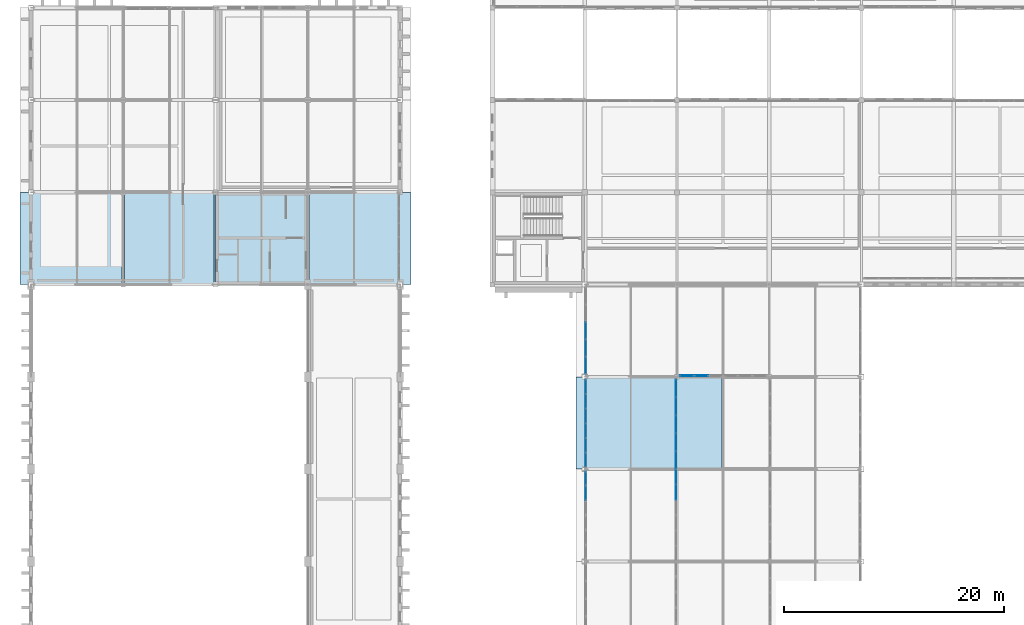
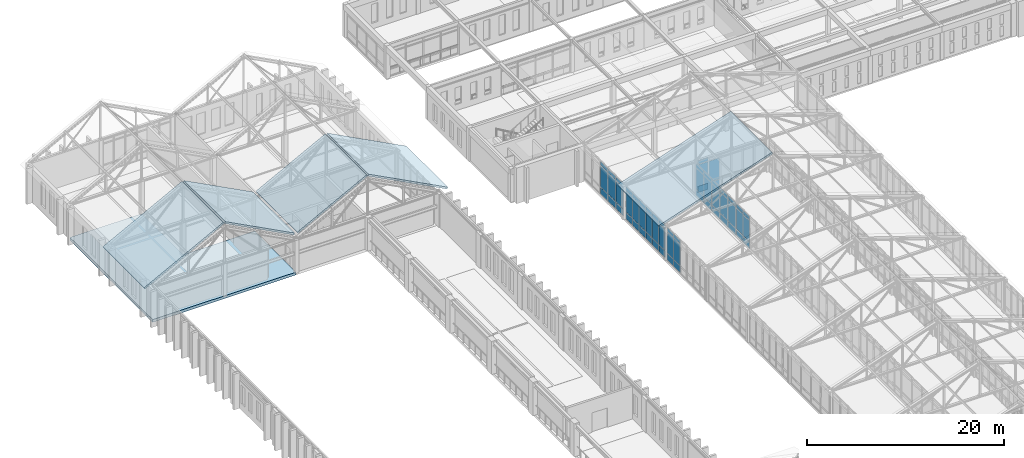
# One storey, part 121 of 192: 59 plates, 6 slabs, 6 elements without a shape of their own.
"""IFC4 building model written with IfcOpenShell, lengths in metres."""

from ifc_helpers import new_model, si_unit, direction, frame, origin, origin_2d, place, context, subcontext, project, spatial, polyline, rectangle, outline, extrude, material, layer, layer_set, type_object, element, aggregate, save


model = new_model("IFC4")

# Units and contexts
model_context = context("Model", 3, precision=1e-05, world=origin(), true_north=direction((0.0, 1.0)))
body_context = subcontext(model_context, "Body", "Model", "MODEL_VIEW")
ifc_project = project(units=[si_unit("LENGTHUNIT", "METRE"), si_unit("AREAUNIT", "SQUARE_METRE"), si_unit("VOLUMEUNIT", "CUBIC_METRE"), si_unit("PLANEANGLEUNIT", "RADIAN"), si_unit("MASSUNIT", "GRAM", prefix="KILO")], contexts=[model_context])

# Site, building, storey
site_placement = place(None, origin())
site = spatial("IfcSite", under=ifc_project, at=site_placement, CompositionType="ELEMENT")
building_placement = place(site_placement, origin())
building = spatial("IfcBuilding", under=site, at=building_placement, Name="Kveldsbrygga Polytechnic", CompositionType="ELEMENT")
storey_placement = place(building_placement, frame((0.0, 0.0, 5.43994140625)))
storey = spatial("IfcBuildingStorey", under=building, at=storey_placement, Name="L01", CompositionType="ELEMENT", Elevation=5.43994140625)

# Curtain wall, plates
ifc_material_1 = material(Name="Anodised aluminium AW-6060", Category="aluminium")
ifc_layer_1 = layer(ifc_material_1, 0.179931640625)
ifc_layer_set_1 = layer_set([ifc_layer_1], Name="Anodised aluminium AW-6060")
curtain_wall_type_1 = type_object("IfcCurtainWallType", Name="CW-CONC-A", PredefinedType="USERDEFINED", material=ifc_layer_set_1)
curtain_wall_1_placement = place(storey_placement, origin())
curtain_wall_1 = element("IfcCurtainWall", 1, at=curtain_wall_1_placement, inside=storey, type_object=curtain_wall_type_1, Name="Curtain Wall CW-L01-Y-07-07", ObjectType="UNITISED CURTAIN WALL", PredefinedType="USERDEFINED")
ifc_material_2 = material(Name="Insulated triple low-E glass", Category="glass")
ifc_layer_2 = layer(ifc_material_2, 0.035888671875)
ifc_layer_set_2 = layer_set([ifc_layer_2], Name="Insulated triple low-E glass")
plate_type_1 = type_object("IfcPlateType", Name="CW-PAN-VIS36", PredefinedType="CURTAIN_PANEL", material=ifc_layer_set_2)
plate_1_placement = place(storey_placement, frame((58.699951171875, 65.10009765625, 0.06005859375), z_axis=(0.0, 0.0, 1.0), x_axis=(0.0, 1.0, 0.0)))
plate_1 = element("IfcPlate", 2, at=plate_1_placement, type_object=plate_type_1, Name="CW-01 panel 5.1", PredefinedType="CURTAIN_PANEL", context=body_context, shape_type="SweptSolid", body=[
    extrude(rectangle(XDim=1.340087890625, YDim=0.035888671875, at=origin_2d()), origin(), (0.0, 0.0, 1.0), 0.81005859375),
])
plate_2_placement = place(storey_placement, frame((58.699951171875, 65.10009765625, 0.93017578125), z_axis=(0.0, 0.0, 1.0), x_axis=(0.0, 1.0, 0.0)))
plate_2 = element("IfcPlate", 3, at=plate_2_placement, type_object=plate_type_1, Name="CW-01 panel 5.2", PredefinedType="CURTAIN_PANEL", context=body_context, shape_type="SweptSolid", body=[
    extrude(rectangle(XDim=1.340087890625, YDim=0.035888671875, at=origin_2d()), origin(), (0.0, 0.0, 1.0), 2.610107421875),
])
plate_3_placement = place(storey_placement, frame((58.699951171875, 65.10009765625, 3.60009765625), z_axis=(0.0, 0.0, 1.0), x_axis=(0.0, 1.0, 0.0)))
plate_3 = element("IfcPlate", 4, at=plate_3_placement, type_object=plate_type_1, Name="CW-01 panel 5.3", PredefinedType="CURTAIN_PANEL", context=body_context, shape_type="SweptSolid", body=[
    extrude(rectangle(XDim=1.340087890625, YDim=0.035888671875, at=origin_2d()), origin(), (0.0, 0.0, 1.0), 0.4599609375),
])
plate_4_placement = place(storey_placement, frame((58.699951171875, 66.485107421875, 0.06005859375), z_axis=(0.0, 0.0, 1.0), x_axis=(0.0, 1.0, 0.0)))
plate_4 = element("IfcPlate", 5, at=plate_4_placement, type_object=plate_type_1, Name="CW-01 panel 6.1", PredefinedType="CURTAIN_PANEL", context=body_context, shape_type="SweptSolid", body=[
    extrude(rectangle(XDim=1.31005859375, YDim=0.035888671875, at=origin_2d()), origin(), (0.0, 0.0, 1.0), 0.81005859375),
])
plate_5_placement = place(storey_placement, frame((58.699951171875, 66.485107421875, 0.93017578125), z_axis=(0.0, 0.0, 1.0), x_axis=(0.0, 1.0, 0.0)))
plate_5 = element("IfcPlate", 6, at=plate_5_placement, type_object=plate_type_1, Name="CW-01 panel 6.2", PredefinedType="CURTAIN_PANEL", context=body_context, shape_type="SweptSolid", body=[
    extrude(rectangle(XDim=1.31005859375, YDim=0.035888671875, at=origin_2d()), origin(), (0.0, 0.0, 1.0), 2.610107421875),
])
plate_6_placement = place(storey_placement, frame((58.699951171875, 66.485107421875, 3.60009765625), z_axis=(0.0, 0.0, 1.0), x_axis=(0.0, 1.0, 0.0)))
plate_6 = element("IfcPlate", 7, at=plate_6_placement, type_object=plate_type_1, Name="CW-01 panel 6.3", PredefinedType="CURTAIN_PANEL", context=body_context, shape_type="SweptSolid", body=[
    extrude(rectangle(XDim=1.31005859375, YDim=0.035888671875, at=origin_2d()), origin(), (0.0, 0.0, 1.0), 0.4599609375),
])
aggregate(curtain_wall_1, [plate_1, plate_2, plate_3, plate_4, plate_5, plate_6])

curtain_wall_2_placement = place(storey_placement, origin())
curtain_wall_2 = element("IfcCurtainWall", 8, at=curtain_wall_2_placement, inside=storey, type_object=curtain_wall_type_1, Name="Curtain Wall CW-L01-Y-06-08", ObjectType="UNITISED CURTAIN WALL", PredefinedType="USERDEFINED")
plate_7_placement = place(storey_placement, frame((50.5, 68.038330078125, 0.06005859375), z_axis=(0.0, 0.0, 1.0), x_axis=(0.0, 1.0, 0.0)))
plate_7 = element("IfcPlate", 9, at=plate_7_placement, type_object=plate_type_1, Name="CW-01 panel 1.1", PredefinedType="CURTAIN_PANEL", context=body_context, shape_type="SweptSolid", body=[
    extrude(rectangle(XDim=1.24658203125, YDim=0.035888671875, at=origin_2d()), origin(), (0.0, 0.0, 1.0), 0.81005859375),
])
plate_8_placement = place(storey_placement, frame((50.5, 68.038330078125, 0.93017578125), z_axis=(0.0, 0.0, 1.0), x_axis=(0.0, 1.0, 0.0)))
plate_8 = element("IfcPlate", 10, at=plate_8_placement, type_object=plate_type_1, Name="CW-01 panel 1.2", PredefinedType="CURTAIN_PANEL", context=body_context, shape_type="SweptSolid", body=[
    extrude(rectangle(XDim=1.24658203125, YDim=0.035888671875, at=origin_2d()), origin(), (0.0, 0.0, 1.0), 2.610107421875),
])
plate_9_placement = place(storey_placement, frame((50.5, 68.038330078125, 3.60009765625), z_axis=(0.0, 0.0, 1.0), x_axis=(0.0, 1.0, 0.0)))
plate_9 = element("IfcPlate", 11, at=plate_9_placement, type_object=plate_type_1, Name="CW-01 panel 1.3", PredefinedType="CURTAIN_PANEL", context=body_context, shape_type="SweptSolid", body=[
    extrude(rectangle(XDim=1.24658203125, YDim=0.035888671875, at=origin_2d()), origin(), (0.0, 0.0, 1.0), 0.4599609375),
])
plate_10_placement = place(storey_placement, frame((50.5, 69.360107421875, 0.06005859375), z_axis=(0.0, 0.0, 1.0), x_axis=(0.0, 1.0, 0.0)))
plate_10 = element("IfcPlate", 12, at=plate_10_placement, type_object=plate_type_1, Name="CW-01 panel 2.1", PredefinedType="CURTAIN_PANEL", context=body_context, shape_type="SweptSolid", body=[
    extrude(rectangle(XDim=1.276611328125, YDim=0.035888671875, at=origin_2d()), origin(), (0.0, 0.0, 1.0), 0.81005859375),
])
plate_11_placement = place(storey_placement, frame((50.5, 69.360107421875, 0.93017578125), z_axis=(0.0, 0.0, 1.0), x_axis=(0.0, 1.0, 0.0)))
plate_11 = element("IfcPlate", 13, at=plate_11_placement, type_object=plate_type_1, Name="CW-01 panel 2.2", PredefinedType="CURTAIN_PANEL", context=body_context, shape_type="SweptSolid", body=[
    extrude(rectangle(XDim=1.276611328125, YDim=0.035888671875, at=origin_2d()), origin(), (0.0, 0.0, 1.0), 2.610107421875),
])
plate_12_placement = place(storey_placement, frame((50.5, 69.360107421875, 3.60009765625), z_axis=(0.0, 0.0, 1.0), x_axis=(0.0, 1.0, 0.0)))
plate_12 = element("IfcPlate", 14, at=plate_12_placement, type_object=plate_type_1, Name="CW-01 panel 2.3", PredefinedType="CURTAIN_PANEL", context=body_context, shape_type="SweptSolid", body=[
    extrude(rectangle(XDim=1.276611328125, YDim=0.035888671875, at=origin_2d()), origin(), (0.0, 0.0, 1.0), 0.4599609375),
])
plate_13_placement = place(storey_placement, frame((50.5, 70.69677734375, 0.06005859375), z_axis=(0.0, 0.0, 1.0), x_axis=(0.0, 1.0, 0.0)))
plate_13 = element("IfcPlate", 15, at=plate_13_placement, type_object=plate_type_1, Name="CW-01 panel 3.1", PredefinedType="CURTAIN_PANEL", context=body_context, shape_type="SweptSolid", body=[
    extrude(rectangle(XDim=1.276611328125, YDim=0.035888671875, at=origin_2d()), origin(), (0.0, 0.0, 1.0), 0.81005859375),
])
plate_14_placement = place(storey_placement, frame((50.5, 70.69677734375, 0.93017578125), z_axis=(0.0, 0.0, 1.0), x_axis=(0.0, 1.0, 0.0)))
plate_14 = element("IfcPlate", 16, at=plate_14_placement, type_object=plate_type_1, Name="CW-01 panel 3.2", PredefinedType="CURTAIN_PANEL", context=body_context, shape_type="SweptSolid", body=[
    extrude(rectangle(XDim=1.276611328125, YDim=0.035888671875, at=origin_2d()), origin(), (0.0, 0.0, 1.0), 2.610107421875),
])
plate_15_placement = place(storey_placement, frame((50.5, 70.69677734375, 3.60009765625), z_axis=(0.0, 0.0, 1.0), x_axis=(0.0, 1.0, 0.0)))
plate_15 = element("IfcPlate", 17, at=plate_15_placement, type_object=plate_type_1, Name="CW-01 panel 3.3", PredefinedType="CURTAIN_PANEL", context=body_context, shape_type="SweptSolid", body=[
    extrude(rectangle(XDim=1.276611328125, YDim=0.035888671875, at=origin_2d()), origin(), (0.0, 0.0, 1.0), 0.4599609375),
])
plate_16_placement = place(storey_placement, frame((50.5, 72.033447265625, 0.06005859375), z_axis=(0.0, 0.0, 1.0), x_axis=(0.0, 1.0, 0.0)))
plate_16 = element("IfcPlate", 18, at=plate_16_placement, type_object=plate_type_1, Name="CW-01 panel 4.1", PredefinedType="CURTAIN_PANEL", context=body_context, shape_type="SweptSolid", body=[
    extrude(rectangle(XDim=1.276611328125, YDim=0.035888671875, at=origin_2d()), origin(), (0.0, 0.0, 1.0), 0.81005859375),
])
plate_17_placement = place(storey_placement, frame((50.5, 72.033447265625, 0.93017578125), z_axis=(0.0, 0.0, 1.0), x_axis=(0.0, 1.0, 0.0)))
plate_17 = element("IfcPlate", 19, at=plate_17_placement, type_object=plate_type_1, Name="CW-01 panel 4.2", PredefinedType="CURTAIN_PANEL", context=body_context, shape_type="SweptSolid", body=[
    extrude(rectangle(XDim=1.276611328125, YDim=0.035888671875, at=origin_2d()), origin(), (0.0, 0.0, 1.0), 2.610107421875),
])
plate_18_placement = place(storey_placement, frame((50.5, 72.033447265625, 3.60009765625), z_axis=(0.0, 0.0, 1.0), x_axis=(0.0, 1.0, 0.0)))
plate_18 = element("IfcPlate", 20, at=plate_18_placement, type_object=plate_type_1, Name="CW-01 panel 4.3", PredefinedType="CURTAIN_PANEL", context=body_context, shape_type="SweptSolid", body=[
    extrude(rectangle(XDim=1.276611328125, YDim=0.035888671875, at=origin_2d()), origin(), (0.0, 0.0, 1.0), 0.4599609375),
])
plate_19_placement = place(storey_placement, frame((50.5, 73.3701171875, 0.06005859375), z_axis=(0.0, 0.0, 1.0), x_axis=(0.0, 1.0, 0.0)))
plate_19 = element("IfcPlate", 21, at=plate_19_placement, type_object=plate_type_1, Name="CW-01 panel 5.1", PredefinedType="CURTAIN_PANEL", context=body_context, shape_type="SweptSolid", body=[
    extrude(rectangle(XDim=1.276611328125, YDim=0.035888671875, at=origin_2d()), origin(), (0.0, 0.0, 1.0), 0.81005859375),
])
plate_20_placement = place(storey_placement, frame((50.5, 73.3701171875, 0.93017578125), z_axis=(0.0, 0.0, 1.0), x_axis=(0.0, 1.0, 0.0)))
plate_20 = element("IfcPlate", 22, at=plate_20_placement, type_object=plate_type_1, Name="CW-01 panel 5.2", PredefinedType="CURTAIN_PANEL", context=body_context, shape_type="SweptSolid", body=[
    extrude(rectangle(XDim=1.276611328125, YDim=0.035888671875, at=origin_2d()), origin(), (0.0, 0.0, 1.0), 2.610107421875),
])
plate_21_placement = place(storey_placement, frame((50.5, 73.3701171875, 3.60009765625), z_axis=(0.0, 0.0, 1.0), x_axis=(0.0, 1.0, 0.0)))
plate_21 = element("IfcPlate", 23, at=plate_21_placement, type_object=plate_type_1, Name="CW-01 panel 5.3", PredefinedType="CURTAIN_PANEL", context=body_context, shape_type="SweptSolid", body=[
    extrude(rectangle(XDim=1.276611328125, YDim=0.035888671875, at=origin_2d()), origin(), (0.0, 0.0, 1.0), 0.4599609375),
])
plate_22_placement = place(storey_placement, frame((50.5, 74.691650390625, 0.06005859375), z_axis=(0.0, 0.0, 1.0), x_axis=(0.0, 1.0, 0.0)))
plate_22 = element("IfcPlate", 24, at=plate_22_placement, type_object=plate_type_1, Name="CW-01 panel 6.1", PredefinedType="CURTAIN_PANEL", context=body_context, shape_type="SweptSolid", body=[
    extrude(rectangle(XDim=1.24658203125, YDim=0.035888671875, at=origin_2d()), origin(), (0.0, 0.0, 1.0), 0.81005859375),
])
plate_23_placement = place(storey_placement, frame((50.5, 74.691650390625, 0.93017578125), z_axis=(0.0, 0.0, 1.0), x_axis=(0.0, 1.0, 0.0)))
plate_23 = element("IfcPlate", 25, at=plate_23_placement, type_object=plate_type_1, Name="CW-01 panel 6.2", PredefinedType="CURTAIN_PANEL", context=body_context, shape_type="SweptSolid", body=[
    extrude(rectangle(XDim=1.24658203125, YDim=0.035888671875, at=origin_2d()), origin(), (0.0, 0.0, 1.0), 2.610107421875),
])
plate_24_placement = place(storey_placement, frame((50.5, 74.691650390625, 3.60009765625), z_axis=(0.0, 0.0, 1.0), x_axis=(0.0, 1.0, 0.0)))
plate_24 = element("IfcPlate", 26, at=plate_24_placement, type_object=plate_type_1, Name="CW-01 panel 6.3", PredefinedType="CURTAIN_PANEL", context=body_context, shape_type="SweptSolid", body=[
    extrude(rectangle(XDim=1.24658203125, YDim=0.035888671875, at=origin_2d()), origin(), (0.0, 0.0, 1.0), 0.4599609375),
])
aggregate(curtain_wall_2, [plate_7, plate_8, plate_9, plate_10, plate_11, plate_12, plate_13, plate_14, plate_15, plate_16, plate_17, plate_18, plate_19, plate_20, plate_21, plate_22, plate_23, plate_24])

ifc_layer_3 = layer(ifc_material_1, 0.2099609375)
ifc_layer_set_3 = layer_set([ifc_layer_3], Name="Anodised aluminium AW-6060")
curtain_wall_type_2 = type_object("IfcCurtainWallType", Name="CW-LIBR-H", PredefinedType="USERDEFINED", material=ifc_layer_set_3)
curtain_wall_3_placement = place(storey_placement, origin())
curtain_wall_3 = element("IfcCurtainWall", 27, at=curtain_wall_3_placement, inside=storey, type_object=curtain_wall_type_2, Name="Curtain Wall CW-L01-Y-06-07", ObjectType="UNITISED CURTAIN WALL", PredefinedType="USERDEFINED")
ifc_layer_4 = layer(ifc_material_2, 0.0419921875)
ifc_layer_set_4 = layer_set([ifc_layer_4], Name="Insulated triple low-E glass")
plate_type_2 = type_object("IfcPlateType", Name="CW-PAN-VIS42", PredefinedType="CURTAIN_PANEL", material=ifc_layer_set_4)
plate_25_placement = place(storey_placement, frame((50.5, 65.0224609375, 0.06005859375), z_axis=(0.0, 0.0, 1.0), x_axis=(0.0, 1.0, 0.0)))
plate_25 = element("IfcPlate", 28, at=plate_25_placement, type_object=plate_type_2, Name="CW-08 panel 5.1", PredefinedType="CURTAIN_PANEL", context=body_context, shape_type="SweptSolid", body=[
    extrude(rectangle(XDim=1.2734375, YDim=0.0419921875, at=origin_2d()), origin(), (0.0, 0.0, 1.0), 0.81005859375),
])
plate_26_placement = place(storey_placement, frame((50.5, 65.0224609375, 0.93017578125), z_axis=(0.0, 0.0, 1.0), x_axis=(0.0, 1.0, 0.0)))
plate_26 = element("IfcPlate", 29, at=plate_26_placement, type_object=plate_type_2, Name="CW-08 panel 5.2", PredefinedType="CURTAIN_PANEL", context=body_context, shape_type="SweptSolid", body=[
    extrude(rectangle(XDim=1.2734375, YDim=0.0419921875, at=origin_2d()), origin(), (0.0, 0.0, 1.0), 2.610107421875),
])
plate_27_placement = place(storey_placement, frame((50.5, 65.0224609375, 3.60009765625), z_axis=(0.0, 0.0, 1.0), x_axis=(0.0, 1.0, 0.0)))
plate_27 = element("IfcPlate", 30, at=plate_27_placement, type_object=plate_type_2, Name="CW-08 panel 5.3", PredefinedType="CURTAIN_PANEL", context=body_context, shape_type="SweptSolid", body=[
    extrude(rectangle(XDim=1.2734375, YDim=0.0419921875, at=origin_2d()), origin(), (0.0, 0.0, 1.0), 0.4599609375),
])
plate_28_placement = place(storey_placement, frame((50.5, 66.35205078125, 0.06005859375), z_axis=(0.0, 0.0, 1.0), x_axis=(0.0, 1.0, 0.0)))
plate_28 = element("IfcPlate", 31, at=plate_28_placement, type_object=plate_type_2, Name="CW-08 panel 6.1", PredefinedType="CURTAIN_PANEL", context=body_context, shape_type="SweptSolid", body=[
    extrude(rectangle(XDim=1.23583984375, YDim=0.0419921875, at=origin_2d()), origin(), (0.0, 0.0, 1.0), 0.81005859375),
])
plate_29_placement = place(storey_placement, frame((50.5, 66.35205078125, 0.93017578125), z_axis=(0.0, 0.0, 1.0), x_axis=(0.0, 1.0, 0.0)))
plate_29 = element("IfcPlate", 32, at=plate_29_placement, type_object=plate_type_2, Name="CW-08 panel 6.2", PredefinedType="CURTAIN_PANEL", context=body_context, shape_type="SweptSolid", body=[
    extrude(rectangle(XDim=1.23583984375, YDim=0.0419921875, at=origin_2d()), origin(), (0.0, 0.0, 1.0), 2.610107421875),
])
plate_30_placement = place(storey_placement, frame((50.5, 66.35205078125, 3.60009765625), z_axis=(0.0, 0.0, 1.0), x_axis=(0.0, 1.0, 0.0)))
plate_30 = element("IfcPlate", 33, at=plate_30_placement, type_object=plate_type_2, Name="CW-08 panel 6.3", PredefinedType="CURTAIN_PANEL", context=body_context, shape_type="SweptSolid", body=[
    extrude(rectangle(XDim=1.23583984375, YDim=0.0419921875, at=origin_2d()), origin(), (0.0, 0.0, 1.0), 0.4599609375),
])
aggregate(curtain_wall_3, [plate_25, plate_26, plate_27, plate_28, plate_29, plate_30])

ifc_layer_5 = layer(ifc_material_1, 0.199951171875)
ifc_layer_set_5 = layer_set([ifc_layer_5], Name="Anodised aluminium AW-6060")
curtain_wall_type_3 = type_object("IfcCurtainWallType", Name="CW-CONC-B", PredefinedType="USERDEFINED", material=ifc_layer_set_5)
curtain_wall_4_placement = place(storey_placement, origin())
curtain_wall_4 = element("IfcCurtainWall", 34, at=curtain_wall_4_placement, inside=storey, type_object=curtain_wall_type_3, Name="Curtain Wall CW-L01-Y-07-08", ObjectType="UNITISED CURTAIN WALL", PredefinedType="USERDEFINED")
plate_31_placement = place(storey_placement, frame((58.699951171875, 68.033935546875, 0.06005859375), z_axis=(0.0, 0.0, 1.0), x_axis=(0.0, 1.0, 0.0)))
plate_31 = element("IfcPlate", 35, at=plate_31_placement, type_object=plate_type_2, Name="CW-02 panel 1.1", PredefinedType="CURTAIN_PANEL", context=body_context, shape_type="SweptSolid", body=[
    extrude(rectangle(XDim=1.548095703125, YDim=0.0419921875, at=origin_2d()), origin(), (0.0, 0.0, 1.0), 0.81005859375),
])
plate_32_placement = place(storey_placement, frame((58.699951171875, 68.033935546875, 0.93017578125), z_axis=(0.0, 0.0, 1.0), x_axis=(0.0, 1.0, 0.0)))
plate_32 = element("IfcPlate", 36, at=plate_32_placement, type_object=plate_type_2, Name="CW-02 panel 1.2", PredefinedType="CURTAIN_PANEL", context=body_context, shape_type="SweptSolid", body=[
    extrude(rectangle(XDim=1.548095703125, YDim=0.0419921875, at=origin_2d()), origin(), (0.0, 0.0, 1.0), 2.610107421875),
])
plate_33_placement = place(storey_placement, frame((58.699951171875, 68.033935546875, 3.60009765625), z_axis=(0.0, 0.0, 1.0), x_axis=(0.0, 1.0, 0.0)))
plate_33 = element("IfcPlate", 37, at=plate_33_placement, type_object=plate_type_2, Name="CW-02 panel 1.3", PredefinedType="CURTAIN_PANEL", context=body_context, shape_type="SweptSolid", body=[
    extrude(rectangle(XDim=1.548095703125, YDim=0.0419921875, at=origin_2d()), origin(), (0.0, 0.0, 1.0), 0.4599609375),
])
plate_34_placement = place(storey_placement, frame((58.699951171875, 69.656982421875, 0.06005859375), z_axis=(0.0, 0.0, 1.0), x_axis=(0.0, 1.0, 0.0)))
plate_34 = element("IfcPlate", 38, at=plate_34_placement, type_object=plate_type_2, Name="CW-02 panel 2.1", PredefinedType="CURTAIN_PANEL", context=body_context, shape_type="SweptSolid", body=[
    extrude(rectangle(XDim=1.577880859375, YDim=0.0419921875, at=origin_2d()), origin(), (0.0, 0.0, 1.0), 0.81005859375),
])
plate_35_placement = place(storey_placement, frame((58.699951171875, 69.656982421875, 0.93017578125), z_axis=(0.0, 0.0, 1.0), x_axis=(0.0, 1.0, 0.0)))
plate_35 = element("IfcPlate", 39, at=plate_35_placement, type_object=plate_type_2, Name="CW-02 panel 2.2", PredefinedType="CURTAIN_PANEL", context=body_context, shape_type="SweptSolid", body=[
    extrude(rectangle(XDim=1.577880859375, YDim=0.0419921875, at=origin_2d()), origin(), (0.0, 0.0, 1.0), 2.610107421875),
])
plate_36_placement = place(storey_placement, frame((58.699951171875, 69.656982421875, 3.60009765625), z_axis=(0.0, 0.0, 1.0), x_axis=(0.0, 1.0, 0.0)))
plate_36 = element("IfcPlate", 40, at=plate_36_placement, type_object=plate_type_2, Name="CW-02 panel 2.3", PredefinedType="CURTAIN_PANEL", context=body_context, shape_type="SweptSolid", body=[
    extrude(rectangle(XDim=1.577880859375, YDim=0.0419921875, at=origin_2d()), origin(), (0.0, 0.0, 1.0), 0.4599609375),
])
plate_37_placement = place(storey_placement, frame((58.699951171875, 71.294921875, 0.06005859375), z_axis=(0.0, 0.0, 1.0), x_axis=(0.0, 1.0, 0.0)))
plate_37 = element("IfcPlate", 41, at=plate_37_placement, type_object=plate_type_2, Name="CW-02 panel 3.1", PredefinedType="CURTAIN_PANEL", context=body_context, shape_type="SweptSolid", body=[
    extrude(rectangle(XDim=1.577880859375, YDim=0.0419921875, at=origin_2d()), origin(), (0.0, 0.0, 1.0), 0.81005859375),
])
plate_38_placement = place(storey_placement, frame((58.699951171875, 71.294921875, 0.93017578125), z_axis=(0.0, 0.0, 1.0), x_axis=(0.0, 1.0, 0.0)))
plate_38 = element("IfcPlate", 42, at=plate_38_placement, type_object=plate_type_2, Name="CW-02 panel 3.2", PredefinedType="CURTAIN_PANEL", context=body_context, shape_type="SweptSolid", body=[
    extrude(rectangle(XDim=1.577880859375, YDim=0.0419921875, at=origin_2d()), origin(), (0.0, 0.0, 1.0), 2.610107421875),
])
plate_39_placement = place(storey_placement, frame((58.699951171875, 71.294921875, 3.60009765625), z_axis=(0.0, 0.0, 1.0), x_axis=(0.0, 1.0, 0.0)))
plate_39 = element("IfcPlate", 43, at=plate_39_placement, type_object=plate_type_2, Name="CW-02 panel 3.3", PredefinedType="CURTAIN_PANEL", context=body_context, shape_type="SweptSolid", body=[
    extrude(rectangle(XDim=1.577880859375, YDim=0.0419921875, at=origin_2d()), origin(), (0.0, 0.0, 1.0), 0.4599609375),
])
plate_40_placement = place(storey_placement, frame((58.699951171875, 72.93310546875, 0.06005859375), z_axis=(0.0, 0.0, 1.0), x_axis=(0.0, 1.0, 0.0)))
plate_40 = element("IfcPlate", 44, at=plate_40_placement, type_object=plate_type_2, Name="CW-02 panel 4.1", PredefinedType="CURTAIN_PANEL", context=body_context, shape_type="SweptSolid", body=[
    extrude(rectangle(XDim=1.577880859375, YDim=0.0419921875, at=origin_2d()), origin(), (0.0, 0.0, 1.0), 0.81005859375),
])
plate_41_placement = place(storey_placement, frame((58.699951171875, 72.93310546875, 0.93017578125), z_axis=(0.0, 0.0, 1.0), x_axis=(0.0, 1.0, 0.0)))
plate_41 = element("IfcPlate", 45, at=plate_41_placement, type_object=plate_type_2, Name="CW-02 panel 4.2", PredefinedType="CURTAIN_PANEL", context=body_context, shape_type="SweptSolid", body=[
    extrude(rectangle(XDim=1.577880859375, YDim=0.0419921875, at=origin_2d()), origin(), (0.0, 0.0, 1.0), 2.610107421875),
])
plate_42_placement = place(storey_placement, frame((58.699951171875, 72.93310546875, 3.60009765625), z_axis=(0.0, 0.0, 1.0), x_axis=(0.0, 1.0, 0.0)))
plate_42 = element("IfcPlate", 46, at=plate_42_placement, type_object=plate_type_2, Name="CW-02 panel 4.3", PredefinedType="CURTAIN_PANEL", context=body_context, shape_type="SweptSolid", body=[
    extrude(rectangle(XDim=1.577880859375, YDim=0.0419921875, at=origin_2d()), origin(), (0.0, 0.0, 1.0), 0.4599609375),
])
plate_43_placement = place(storey_placement, frame((58.699951171875, 74.555908203125, 0.06005859375), z_axis=(0.0, 0.0, 1.0), x_axis=(0.0, 1.0, 0.0)))
plate_43 = element("IfcPlate", 47, at=plate_43_placement, type_object=plate_type_2, Name="CW-02 panel 5.1", PredefinedType="CURTAIN_PANEL", context=body_context, shape_type="SweptSolid", body=[
    extrude(rectangle(XDim=1.548095703125, YDim=0.0419921875, at=origin_2d()), origin(), (0.0, 0.0, 1.0), 0.81005859375),
])
plate_44_placement = place(storey_placement, frame((58.699951171875, 74.555908203125, 0.93017578125), z_axis=(0.0, 0.0, 1.0), x_axis=(0.0, 1.0, 0.0)))
plate_44 = element("IfcPlate", 48, at=plate_44_placement, type_object=plate_type_2, Name="CW-02 panel 5.2", PredefinedType="CURTAIN_PANEL", context=body_context, shape_type="SweptSolid", body=[
    extrude(rectangle(XDim=1.548095703125, YDim=0.0419921875, at=origin_2d()), origin(), (0.0, 0.0, 1.0), 2.610107421875),
])
plate_45_placement = place(storey_placement, frame((58.699951171875, 74.555908203125, 3.60009765625), z_axis=(0.0, 0.0, 1.0), x_axis=(0.0, 1.0, 0.0)))
plate_45 = element("IfcPlate", 49, at=plate_45_placement, type_object=plate_type_2, Name="CW-02 panel 5.3", PredefinedType="CURTAIN_PANEL", context=body_context, shape_type="SweptSolid", body=[
    extrude(rectangle(XDim=1.548095703125, YDim=0.0419921875, at=origin_2d()), origin(), (0.0, 0.0, 1.0), 0.4599609375),
])
aggregate(curtain_wall_4, [plate_31, plate_32, plate_33, plate_34, plate_35, plate_36, plate_37, plate_38, plate_39, plate_40, plate_41, plate_42, plate_43, plate_44, plate_45])

curtain_wall_5_placement = place(storey_placement, origin())
curtain_wall_5 = element("IfcCurtainWall", 50, at=curtain_wall_5_placement, inside=storey, type_object=curtain_wall_type_3, Name="Curtain Wall CW-L01-Y-06-09", ObjectType="UNITISED CURTAIN WALL", PredefinedType="USERDEFINED")
plate_46_placement = place(storey_placement, frame((50.5, 76.635009765625, 0.06005859375), z_axis=(0.0, 0.0, 1.0), x_axis=(0.0, 1.0, 0.0)))
plate_46 = element("IfcPlate", 51, at=plate_46_placement, type_object=plate_type_2, Name="CW-02 panel 1.1", PredefinedType="CURTAIN_PANEL", context=body_context, shape_type="SweptSolid", body=[
    extrude(rectangle(XDim=1.5, YDim=0.0419921875, at=origin_2d()), origin(), (0.0, 0.0, 1.0), 0.81005859375),
])
plate_47_placement = place(storey_placement, frame((50.5, 76.635009765625, 0.93017578125), z_axis=(0.0, 0.0, 1.0), x_axis=(0.0, 1.0, 0.0)))
plate_47 = element("IfcPlate", 52, at=plate_47_placement, type_object=plate_type_2, Name="CW-02 panel 1.2", PredefinedType="CURTAIN_PANEL", context=body_context, shape_type="SweptSolid", body=[
    extrude(rectangle(XDim=1.5, YDim=0.0419921875, at=origin_2d()), origin(), (0.0, 0.0, 1.0), 2.610107421875),
])
plate_48_placement = place(storey_placement, frame((50.5, 76.635009765625, 3.60009765625), z_axis=(0.0, 0.0, 1.0), x_axis=(0.0, 1.0, 0.0)))
plate_48 = element("IfcPlate", 53, at=plate_48_placement, type_object=plate_type_2, Name="CW-02 panel 1.3", PredefinedType="CURTAIN_PANEL", context=body_context, shape_type="SweptSolid", body=[
    extrude(rectangle(XDim=1.5, YDim=0.0419921875, at=origin_2d()), origin(), (0.0, 0.0, 1.0), 0.4599609375),
])
plate_49_placement = place(storey_placement, frame((50.5, 78.2099609375, 0.06005859375), z_axis=(0.0, 0.0, 1.0), x_axis=(0.0, 1.0, 0.0)))
plate_49 = element("IfcPlate", 54, at=plate_49_placement, type_object=plate_type_2, Name="CW-02 panel 2.1", PredefinedType="CURTAIN_PANEL", context=body_context, shape_type="SweptSolid", body=[
    extrude(rectangle(XDim=1.530029296875, YDim=0.0419921875, at=origin_2d()), origin(), (0.0, 0.0, 1.0), 0.81005859375),
])
plate_50_placement = place(storey_placement, frame((50.5, 78.2099609375, 0.93017578125), z_axis=(0.0, 0.0, 1.0), x_axis=(0.0, 1.0, 0.0)))
plate_50 = element("IfcPlate", 55, at=plate_50_placement, type_object=plate_type_2, Name="CW-02 panel 2.2", PredefinedType="CURTAIN_PANEL", context=body_context, shape_type="SweptSolid", body=[
    extrude(rectangle(XDim=1.530029296875, YDim=0.0419921875, at=origin_2d()), origin(), (0.0, 0.0, 1.0), 2.610107421875),
])
plate_51_placement = place(storey_placement, frame((50.5, 78.2099609375, 3.60009765625), z_axis=(0.0, 0.0, 1.0), x_axis=(0.0, 1.0, 0.0)))
plate_51 = element("IfcPlate", 56, at=plate_51_placement, type_object=plate_type_2, Name="CW-02 panel 2.3", PredefinedType="CURTAIN_PANEL", context=body_context, shape_type="SweptSolid", body=[
    extrude(rectangle(XDim=1.530029296875, YDim=0.0419921875, at=origin_2d()), origin(), (0.0, 0.0, 1.0), 0.4599609375),
])
plate_52_placement = place(storey_placement, frame((50.5, 79.800048828125, 0.06005859375), z_axis=(0.0, 0.0, 1.0), x_axis=(0.0, 1.0, 0.0)))
plate_52 = element("IfcPlate", 57, at=plate_52_placement, type_object=plate_type_2, Name="CW-02 panel 3.1", PredefinedType="CURTAIN_PANEL", context=body_context, shape_type="SweptSolid", body=[
    extrude(rectangle(XDim=1.530029296875, YDim=0.0419921875, at=origin_2d()), origin(), (0.0, 0.0, 1.0), 0.81005859375),
])
plate_53_placement = place(storey_placement, frame((50.5, 79.800048828125, 0.93017578125), z_axis=(0.0, 0.0, 1.0), x_axis=(0.0, 1.0, 0.0)))
plate_53 = element("IfcPlate", 58, at=plate_53_placement, type_object=plate_type_2, Name="CW-02 panel 3.2", PredefinedType="CURTAIN_PANEL", context=body_context, shape_type="SweptSolid", body=[
    extrude(rectangle(XDim=1.530029296875, YDim=0.0419921875, at=origin_2d()), origin(), (0.0, 0.0, 1.0), 2.610107421875),
])
plate_54_placement = place(storey_placement, frame((50.5, 79.800048828125, 3.60009765625), z_axis=(0.0, 0.0, 1.0), x_axis=(0.0, 1.0, 0.0)))
plate_54 = element("IfcPlate", 59, at=plate_54_placement, type_object=plate_type_2, Name="CW-02 panel 3.3", PredefinedType="CURTAIN_PANEL", context=body_context, shape_type="SweptSolid", body=[
    extrude(rectangle(XDim=1.530029296875, YDim=0.0419921875, at=origin_2d()), origin(), (0.0, 0.0, 1.0), 0.4599609375),
])
aggregate(curtain_wall_5, [plate_46, plate_47, plate_48, plate_49, plate_50, plate_51, plate_52, plate_53, plate_54])

ifc_layer_6 = layer(ifc_material_1, 0.159912109375)
ifc_layer_set_6 = layer_set([ifc_layer_6], Name="Anodised aluminium AW-6060")
curtain_wall_type_4 = type_object("IfcCurtainWallType", Name="CW-CLER-C", PredefinedType="USERDEFINED", material=ifc_layer_set_6)
curtain_wall_6_placement = place(storey_placement, origin())
curtain_wall_6 = element("IfcCurtainWall", 60, at=curtain_wall_6_placement, inside=storey, type_object=curtain_wall_type_4, Name="Curtain Wall CW-L01-X-07-09", ObjectType="STICK CURTAIN WALL", PredefinedType="USERDEFINED")
ifc_layer_7 = layer(ifc_material_2, 0.048095703125)
ifc_layer_set_7 = layer_set([ifc_layer_7], Name="Insulated triple low-E glass")
plate_type_3 = type_object("IfcPlateType", Name="CW-PAN-VIS48", PredefinedType="CURTAIN_PANEL", material=ifc_layer_set_7)
plate_55_placement = place(storey_placement, frame((59.69580078125, 75.699951171875, 0.074951171875), z_axis=(0.0, 0.0, 1.0), x_axis=(1.0, 0.0, 0.0)))
plate_55 = element("IfcPlate", 61, at=plate_55_placement, type_object=plate_type_3, Name="CW-03 panel 1.1", PredefinedType="CURTAIN_PANEL", context=body_context, shape_type="SweptSolid", body=[
    extrude(rectangle(XDim=1.2216796875, YDim=0.048095703125, at=origin_2d()), origin(), (0.0, 0.0, 1.0), 0.78759765625),
])
plate_56_placement = place(storey_placement, frame((59.69580078125, 75.699951171875, 0.9375), z_axis=(0.0, 0.0, 1.0), x_axis=(1.0, 0.0, 0.0)))
plate_56 = element("IfcPlate", 62, at=plate_56_placement, type_object=plate_type_3, Name="CW-03 panel 1.2", PredefinedType="CURTAIN_PANEL", context=body_context, shape_type="SweptSolid", body=[
    extrude(rectangle(XDim=1.2216796875, YDim=0.048095703125, at=origin_2d()), origin(), (0.0, 0.0, 1.0), 2.594970703125),
])
plate_57_placement = place(storey_placement, frame((59.69580078125, 75.699951171875, 3.607666015625), z_axis=(0.0, 0.0, 1.0), x_axis=(1.0, 0.0, 0.0)))
plate_57 = element("IfcPlate", 63, at=plate_57_placement, type_object=plate_type_3, Name="CW-03 panel 1.3", PredefinedType="CURTAIN_PANEL", context=body_context, shape_type="SweptSolid", body=[
    extrude(rectangle(XDim=1.2216796875, YDim=0.048095703125, at=origin_2d()), origin(), (0.0, 0.0, 1.0), 0.4375),
])
plate_58_placement = place(storey_placement, frame((61.01123046875, 75.699951171875, 0.074951171875), z_axis=(0.0, 0.0, 1.0), x_axis=(1.0, 0.0, 0.0)))
plate_58 = element("IfcPlate", 64, at=plate_58_placement, type_object=plate_type_3, Name="CW-03 panel 2.1", PredefinedType="CURTAIN_PANEL", context=body_context, shape_type="SweptSolid", body=[
    extrude(rectangle(XDim=1.25927734375, YDim=0.048095703125, at=origin_2d()), origin(), (0.0, 0.0, 1.0), 0.78759765625),
])
plate_59_placement = place(storey_placement, frame((61.01123046875, 75.699951171875, 0.9375), z_axis=(0.0, 0.0, 1.0), x_axis=(1.0, 0.0, 0.0)))
plate_59 = element("IfcPlate", 65, at=plate_59_placement, type_object=plate_type_3, Name="CW-03 panel 2.2", PredefinedType="CURTAIN_PANEL", context=body_context, shape_type="SweptSolid", body=[
    extrude(rectangle(XDim=1.25927734375, YDim=0.048095703125, at=origin_2d()), origin(), (0.0, 0.0, 1.0), 2.594970703125),
])
aggregate(curtain_wall_6, [plate_55, plate_56, plate_57, plate_58, plate_59])

# Slabs
ifc_material_3 = material(Name="Concrete C35/45", Category="concrete")
ifc_layer_8 = layer(ifc_material_3, 0.219970703125)
ifc_layer_set_8 = layer_set([ifc_layer_8], Name="Concrete C35/45")
slab_type_1 = type_object("IfcSlabType", Name="SLB-ROOF-220", PredefinedType="ROOF", material=ifc_layer_set_8)
slab_1_placement = place(storey_placement, frame((-1.0, 84.0, 4.296142578125), z_axis=(-0.464010478736, 0.0, 0.885829710285), x_axis=(0.885829710285, 0.0, 0.464010478736)))
element("IfcSlab", 66, at=slab_1_placement, inside=storey, type_object=slab_type_1, Name="Pitched Roof Slab V1N1-RSLB-1-1", PredefinedType="ROOF", context=body_context, shape_type="SweptSolid", body=[
    extrude(outline(polyline([(0.0, 0.0), (10.473606748037206, 0.0), (10.473606748037206, 8.39990234375), (0.0, 8.39990234375), (0.0, 0.0)])), origin(), (0.0, 0.0, -1.0), 0.219970703125),
])
slab_2_placement = place(storey_placement, frame((8.522216796875, 84.0, 9.156005859375), z_axis=(0.464024891368, 0.0, 0.885822160589), x_axis=(0.885822160589, 0.0, -0.464024891368)))
element("IfcSlab", 67, at=slab_2_placement, inside=storey, type_object=slab_type_1, Name="Pitched Roof Slab V1N1-RSLB-1-2", PredefinedType="ROOF", context=body_context, shape_type="SweptSolid", body=[
    extrude(outline(polyline([(0.0, 0.0), (9.175301667173233, 0.0), (9.175301667173233, 8.399902343750002), (0.0, 8.399902343750002), (0.0, 0.0)])), origin(), (0.0, 0.0, -1.0), 0.219970703125),
])
slab_3_placement = place(storey_placement, frame((16.949951171875, 84.0, 4.8984375), z_axis=(-0.464013954356, 0.0, 0.885827889696), x_axis=(0.885827889696, 0.0, 0.464013954356)))
element("IfcSlab", 68, at=slab_3_placement, inside=storey, type_object=slab_type_1, Name="Pitched Roof Slab V1N2-RSLB-1-1", PredefinedType="ROOF", context=body_context, shape_type="SweptSolid", body=[
    extrude(outline(polyline([(0.0, 0.0), (9.17551793304852, 0.0), (9.17551793304852, 8.39990234375), (0.0, 8.39990234375), (0.0, 0.0)])), origin(), (0.0, 0.0, -1.0), 0.219970703125),
])
slab_4_placement = place(storey_placement, frame((25.322021484375, 84.0, 9.156005859375), z_axis=(0.464000897665, 0.0, 0.885834728923), x_axis=(0.885834728923, 0.0, -0.464000897665)))
element("IfcSlab", 69, at=slab_4_placement, inside=storey, type_object=slab_type_1, Name="Pitched Roof Slab V1N2-RSLB-1-2", PredefinedType="ROOF", context=body_context, shape_type="SweptSolid", body=[
    extrude(outline(polyline([(0.0, 0.0), (10.473823015668954, 0.0), (10.473823015668954, 8.399902343750002), (0.0, 8.399902343750002), (0.0, 0.0)])), origin(), (0.0, 0.0, -1.0), 0.219970703125),
])
slab_5_placement = place(storey_placement, frame((49.60009765625, 67.199951171875, 4.45947265625), z_axis=(-0.316227766017, 0.0, 0.948683298051), x_axis=(0.948683298051, 0.0, 0.316227766017)))
element("IfcSlab", 70, at=slab_5_placement, inside=storey, type_object=slab_type_1, Name="Pitched Roof Slab V5C-RSLB-8-1", PredefinedType="ROOF", context=body_context, shape_type="SweptSolid", body=[
    extrude(outline(polyline([(0.0, 0.0), (14.030290995664053, 0.0), (14.030290995664053, 8.400146484375002), (0.0, 8.400146484375002), (0.0, 0.0)])), origin(), (0.0, 0.0, -1.0), 0.219970703125),
])
ifc_layer_9 = layer(ifc_material_3, 0.340087890625)
ifc_layer_set_9 = layer_set([ifc_layer_9], Name="Concrete C35/45")
slab_type_2 = type_object("IfcSlabType", Name="SLB-WORK-340", PredefinedType="FLOOR", material=ifc_layer_set_9)
slab_6_placement = place(storey_placement, frame((0.0, 0.0, -0.33984375)))
element("IfcSlab", 71, at=slab_6_placement, inside=storey, type_object=slab_type_2, Name="Slab SLB-L01-V1-L01-1", PredefinedType="FLOOR", context=body_context, shape_type="SweptSolid", body=[
    extrude(outline(polyline([(0.0, 84.0), (0.0, 92.39990234375), (0.0, 100.800048828125), (8.39990234375, 100.800048828125), (8.39990234375, 92.39990234375), (16.800048828125, 92.39990234375), (16.800048828125, 84.0), (8.39990234375, 84.0), (0.0, 84.0)])), origin(), (0.0, 0.0, 1.0), 0.33984375),
])

save(model, "model.ifc")
